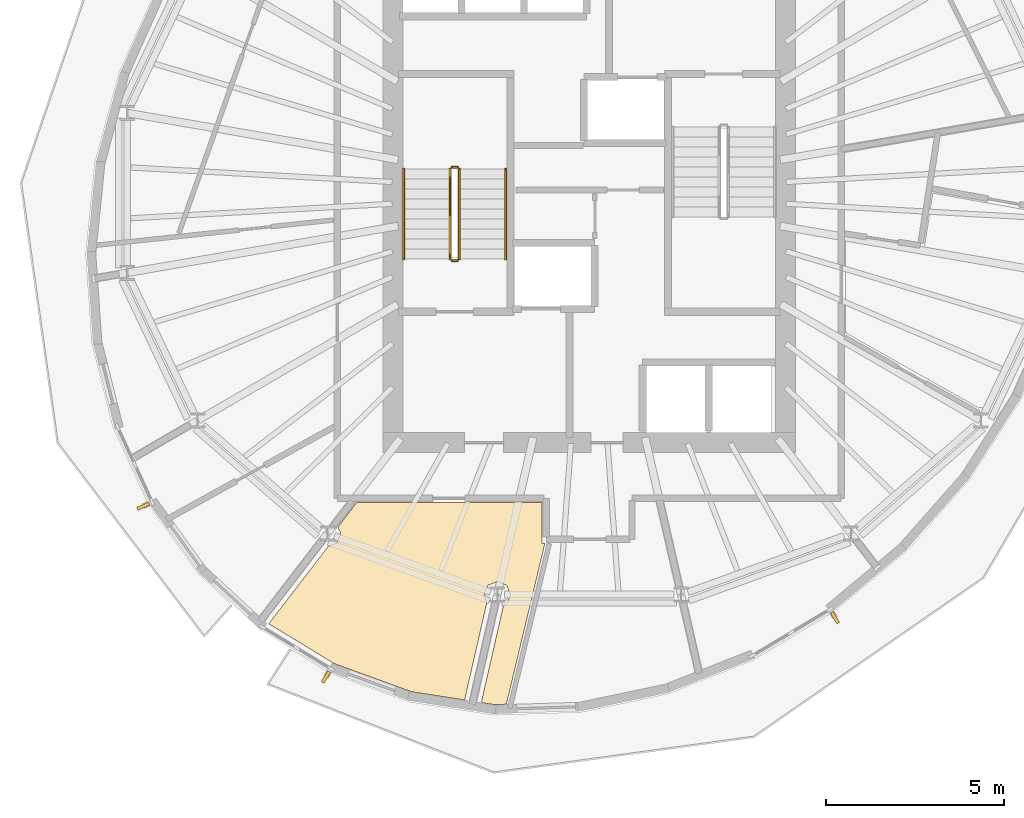
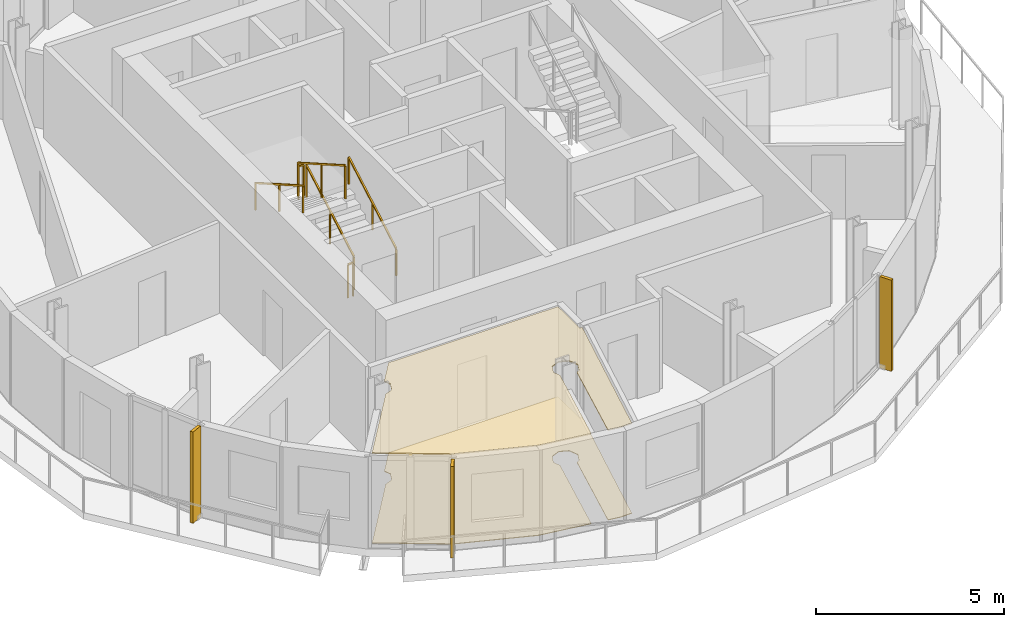
# One storey, part 8 of 11: 6 railings, 3 shading devices, 2 coverings.
"""IFC4 building model written with IfcOpenShell, lengths in metres."""

from ifc_helpers import new_model, si_unit, direction, frame, origin, origin_2d, place, context, subcontext, project, spatial, polyline, rectangle, outline, extrude, material, layer, layer_set, type_object, element, save


model = new_model("IFC4")

# Units and contexts
model_context = context("Model", 3, precision=1e-05, world=origin(), true_north=direction((0.0, 1.0)))
body_context = subcontext(model_context, "Body", "Model", "MODEL_VIEW")
ifc_project = project(units=[si_unit("LENGTHUNIT", "METRE"), si_unit("AREAUNIT", "SQUARE_METRE"), si_unit("VOLUMEUNIT", "CUBIC_METRE"), si_unit("PLANEANGLEUNIT", "RADIAN"), si_unit("MASSUNIT", "GRAM", prefix="KILO")], contexts=[model_context])

# Site, building, storey
site_placement = place(None, origin())
site = spatial("IfcSite", under=ifc_project, at=site_placement, CompositionType="ELEMENT")
building_placement = place(site_placement, origin())
building = spatial("IfcBuilding", under=site, at=building_placement, Name="Veldorim Arch Residences", CompositionType="ELEMENT")
storey_placement = place(building_placement, frame((0.0, 0.0, 217.43994140625)))
storey = spatial("IfcBuildingStorey", under=building, at=storey_placement, Name="L65", CompositionType="ELEMENT", Elevation=217.43994140625)

# Railings
ifc_material_1 = material(Name="Steel S355", Category="steel")
railing_type_1 = type_object("IfcRailingType", Name="Galvanised Steel Stair Safety Guardrail 1100", PredefinedType="GUARDRAIL", material=ifc_material_1)
railing_1_placement = place(storey_placement, frame((28.360107421875, 22.14990234375, 0.16015625)))
element("IfcRailing", 1, at=railing_1_placement, inside=storey, type_object=railing_type_1, Name="L65 ST-1 stair guard 1", PredefinedType="GUARDRAIL", context=body_context, shape_type="SweptSolid", body=[
    extrude(rectangle(XDim=0.048095703125, YDim=0.048095703125, at=origin_2d()), frame((0.0, 0.0, 1.076171875), z_axis=(0.0, 0.868253494771, 0.496120820787), x_axis=(-1.0, 0.0, 0.0)), (0.0, 0.0, 1.0), 2.90234375),
    extrude(rectangle(XDim=0.0419921875, YDim=0.0419921875, at=origin_2d()), origin(), (0.0, 0.0, 1.0), 1.052001953125),
    extrude(rectangle(XDim=0.0419921875, YDim=0.0419921875, at=origin_2d()), frame((0.0, 1.260009765625, 0.719970703125)), (0.0, 0.0, 1.0), 1.052001953125),
    extrude(rectangle(XDim=0.0419921875, YDim=0.0419921875, at=origin_2d()), frame((0.0, 2.52001953125, 1.43994140625)), (0.0, 0.0, 1.0), 1.052001953125),
])
railing_2_placement = place(storey_placement, frame((28.31005859375, 24.719970703125, 1.60009765625)))
element("IfcRailing", 2, at=railing_2_placement, inside=storey, type_object=railing_type_1, Name="L65 ST-1 stair guard 2", PredefinedType="GUARDRAIL", context=body_context, shape_type="SweptSolid", body=[
    extrude(rectangle(XDim=0.048095703125, YDim=0.048095703125, at=origin_2d()), frame((0.0, 0.0, 1.076171875), z_axis=(-1.0, 0.0, 0.0), x_axis=(0.0, -1.0, 0.0)), (0.0, 0.0, 1.0), 0.16015625),
    extrude(rectangle(XDim=0.0419921875, YDim=0.0419921875, at=origin_2d()), origin(), (0.0, 0.0, 1.0), 1.052001953125),
    extrude(rectangle(XDim=0.0419921875, YDim=0.0419921875, at=origin_2d()), frame((-0.16015625, 0.0, 0.0)), (0.0, 0.0, 1.0), 1.052001953125),
])
railing_3_placement = place(storey_placement, frame((28.10009765625, 24.669921875, 1.760009765625)))
element("IfcRailing", 3, at=railing_3_placement, inside=storey, type_object=railing_type_1, Name="L65 ST-1 stair guard 3", PredefinedType="GUARDRAIL", context=body_context, shape_type="SweptSolid", body=[
    extrude(rectangle(XDim=0.048095703125, YDim=0.048095703125, at=origin_2d()), frame((0.0, 0.0, 1.076171875), z_axis=(0.0, -0.868253494771, 0.496120820787), x_axis=(1.0, 0.0, 0.0)), (0.0, 0.0, 1.0), 2.90234375),
    extrude(rectangle(XDim=0.0419921875, YDim=0.0419921875, at=origin_2d()), origin(), (0.0, 0.0, 1.0), 1.052001953125),
    extrude(rectangle(XDim=0.0419921875, YDim=0.0419921875, at=origin_2d()), frame((0.0, -1.260009765625, 0.719970703125)), (0.0, 0.0, 1.0), 1.052001953125),
    extrude(rectangle(XDim=0.0419921875, YDim=0.0419921875, at=origin_2d()), frame((0.0, -2.52001953125, 1.43994140625)), (0.0, 0.0, 1.0), 1.052001953125),
])
railing_4_placement = place(storey_placement, frame((28.31005859375, 22.10009765625, 0.0)))
element("IfcRailing", 4, at=railing_4_placement, inside=storey, type_object=railing_type_1, Name="L65 ST-1 stair guard 4", PredefinedType="GUARDRAIL", context=body_context, shape_type="SweptSolid", body=[
    extrude(rectangle(XDim=0.048095703125, YDim=0.048095703125, at=origin_2d()), frame((0.0, 0.0, 1.076171875), z_axis=(-1.0, 0.0, 0.0), x_axis=(0.0, -1.0, 0.0)), (0.0, 0.0, 1.0), 0.16015625),
    extrude(rectangle(XDim=0.0419921875, YDim=0.0419921875, at=origin_2d()), origin(), (0.0, 0.0, 1.0), 1.052001953125),
    extrude(rectangle(XDim=0.0419921875, YDim=0.0419921875, at=origin_2d()), frame((-0.16015625, 0.0, 0.0)), (0.0, 0.0, 1.0), 1.052001953125),
])

# Coverings
ifc_material_2 = material(Name="Acoustic Gypsum & Mineral Fibre", Category="gypsum")
ifc_layer_1 = layer(ifc_material_2, 0.034912109375, Name="Perforated Acoustic Mineral-Fibre Ceiling 35")
ifc_layer_set_1 = layer_set([ifc_layer_1], Name="Acoustic Gypsum & Mineral Fibre")
covering_type_1 = type_object("IfcCoveringType", Name="Perforated Acoustic Mineral-Fibre Ceiling 35", PredefinedType="CEILING", material=ifc_layer_set_1)
covering_1_placement = place(storey_placement, frame((0.0, 0.0, 2.905029296875)))
element("IfcCovering", 5, at=covering_1_placement, inside=storey, type_object=covering_type_1, Name="L65 acoustic suspended ceiling 01", PredefinedType="CEILING", context=body_context, shape_type="SweptSolid", body=[
    extrude(outline(polyline([(24.685302734375, 14.093017578125), (24.927734375, 14.193603515625), (25.035888671875, 14.45458984375), (24.95947265625, 14.63916015625), (25.482666015625, 15.320068359375), (30.679931640625, 15.320068359375), (30.679931640625, 14.169921875), (30.757080078125, 14.169921875), (29.68017578125, 9.671142578125), (29.330078125, 9.660400390625), (28.974365234375, 9.7158203125), (29.597900390625, 12.443115234375), (29.68603515625, 12.4794921875), (29.794189453125, 12.740478515625), (29.68603515625, 13.001708984375), (29.4248046875, 13.110107421875), (29.16357421875, 13.001708984375), (29.055419921875, 12.740478515625), (29.137939453125, 12.54150390625), (28.50830078125, 9.78857421875), (27.019775390625, 10.02099609375), (24.86181640625, 10.804443359375), (23.02001953125, 11.92578125), (24.685302734375, 14.093017578125)])), origin(), (0.0, 0.0, 1.0), 0.034912109375),
])
ifc_material_3 = material(Name="Porcelain Ceramic Tile", Category="ceramic")
ifc_layer_2 = layer(ifc_material_3, 0.02001953125, Name="Slip-Resistant Porcelain & Vinyl Floor Finish 20")
ifc_layer_set_2 = layer_set([ifc_layer_2], Name="Porcelain Ceramic Tile")
covering_type_2 = type_object("IfcCoveringType", Name="Slip-Resistant Porcelain & Vinyl Floor Finish 20", PredefinedType="FLOORING", material=ifc_layer_set_2)
covering_2_placement = place(storey_placement, origin())
element("IfcCovering", 6, at=covering_2_placement, inside=storey, type_object=covering_type_2, Name="L65 porcelain floor finish 01", PredefinedType="FLOORING", context=body_context, shape_type="SweptSolid", body=[
    extrude(outline(polyline([(24.685302734375, 14.093017578125), (24.927734375, 14.193603515625), (25.035888671875, 14.45458984375), (24.95947265625, 14.63916015625), (25.482666015625, 15.320068359375), (30.679931640625, 15.320068359375), (30.679931640625, 14.169921875), (30.757080078125, 14.169921875), (29.68017578125, 9.671142578125), (29.330078125, 9.660400390625), (28.974365234375, 9.7158203125), (29.597900390625, 12.443115234375), (29.68603515625, 12.4794921875), (29.794189453125, 12.740478515625), (29.68603515625, 13.001708984375), (29.4248046875, 13.110107421875), (29.16357421875, 13.001708984375), (29.055419921875, 12.740478515625), (29.137939453125, 12.54150390625), (28.50830078125, 9.78857421875), (27.019775390625, 10.02099609375), (24.86181640625, 10.804443359375), (23.02001953125, 11.92578125), (24.685302734375, 14.093017578125)])), origin(), (0.0, 0.0, 1.0), 0.02001953125),
])

# Railings
ifc_material_4 = material(Name="Stainless Steel", Category="steel")
railing_type_2 = type_object("IfcRailingType", Name="Tubular Steel Continuous Wall Handrail 900", PredefinedType="HANDRAIL", material=ifc_material_4)
railing_5_placement = place(storey_placement, frame((29.659912109375, 22.14990234375, 0.16015625)))
element("IfcRailing", 7, at=railing_5_placement, inside=storey, type_object=railing_type_2, Name="L65 ST-1 stair handrail 1", PredefinedType="HANDRAIL", context=body_context, shape_type="SweptSolid", body=[
    extrude(rectangle(XDim=0.048095703125, YDim=0.048095703125, at=origin_2d()), frame((0.0, 0.0, 0.8759765625), z_axis=(0.0, 0.868253494771, 0.496120820787), x_axis=(-1.0, 0.0, 0.0)), (0.0, 0.0, 1.0), 2.90234375),
    extrude(rectangle(XDim=0.0419921875, YDim=0.0419921875, at=origin_2d()), origin(), (0.0, 0.0, 1.0), 0.851806640625),
    extrude(rectangle(XDim=0.0419921875, YDim=0.0419921875, at=origin_2d()), frame((0.0, 1.260009765625, 0.719970703125)), (0.0, 0.0, 1.0), 0.851806640625),
    extrude(rectangle(XDim=0.0419921875, YDim=0.0419921875, at=origin_2d()), frame((0.0, 2.52001953125, 1.43994140625)), (0.0, 0.0, 1.0), 0.851806640625),
])
railing_6_placement = place(storey_placement, frame((26.800048828125, 24.669921875, 1.760009765625)))
element("IfcRailing", 8, at=railing_6_placement, inside=storey, type_object=railing_type_2, Name="L65 ST-1 stair handrail 2", PredefinedType="HANDRAIL", context=body_context, shape_type="SweptSolid", body=[
    extrude(rectangle(XDim=0.048095703125, YDim=0.048095703125, at=origin_2d()), frame((0.0, 0.0, 0.8759765625), z_axis=(0.0, -0.868253494771, 0.496120820787), x_axis=(1.0, 0.0, 0.0)), (0.0, 0.0, 1.0), 2.90234375),
    extrude(rectangle(XDim=0.0419921875, YDim=0.0419921875, at=origin_2d()), origin(), (0.0, 0.0, 1.0), 0.851806640625),
    extrude(rectangle(XDim=0.0419921875, YDim=0.0419921875, at=origin_2d()), frame((0.0, -1.260009765625, 0.719970703125)), (0.0, 0.0, 1.0), 0.851806640625),
    extrude(rectangle(XDim=0.0419921875, YDim=0.0419921875, at=origin_2d()), frame((0.0, -2.52001953125, 1.43994140625)), (0.0, 0.0, 1.0), 0.851806640625),
])

# Shading devices
ifc_material_5 = material(Name="Terracotta Ceramic", Category="masonry")
ifc_layer_3 = layer(ifc_material_5, 0.090087890625, Name="Vertical Extruded Terracotta Baguette Sun-Shading Fin")
ifc_layer_set_3 = layer_set([ifc_layer_3], Name="Terracotta Ceramic")
shading_device_type = type_object("IfcShadingDeviceType", Name="Vertical Extruded Terracotta Baguette Sun-Shading Fin", PredefinedType="USERDEFINED", material=ifc_layer_set_3)
for number, where, z_axis, x_axis, name in (
    (9, (19.50439453125, 15.21923828125, 0.0), (0.0, 0.0, 1.0), (-0.418025632026, 0.908435232127, 0.0), "L65 vertical terracotta sun-shading fin 16"),
    (10, (24.621826171875, 10.4326171875, 0.0), (0.0, 0.0, 1.0), (-0.854186693447, 0.519966434242, 0.0), "L65 vertical terracotta sun-shading fin 19"),
    (11, (38.887939453125, 12.09716796875, 0.0), (0.0, 0.0, 1.0), (-0.858512728225, -0.512792253721, 0.0), "L65 vertical terracotta sun-shading fin 25"),
):
    element("IfcShadingDevice", number, at=place(storey_placement, frame(where, z_axis=z_axis, x_axis=x_axis)), inside=storey, type_object=shading_device_type, Name=name, ObjectType="FIN", PredefinedType="USERDEFINED", context=body_context, shape_type="SweptSolid", body=[
        extrude(rectangle(XDim=0.090087890625, YDim=0.360107421875, at=origin_2d()), origin(), (0.0, 0.0, 1.0), 2.9599609375),
    ])

save(model, "model.ifc")
